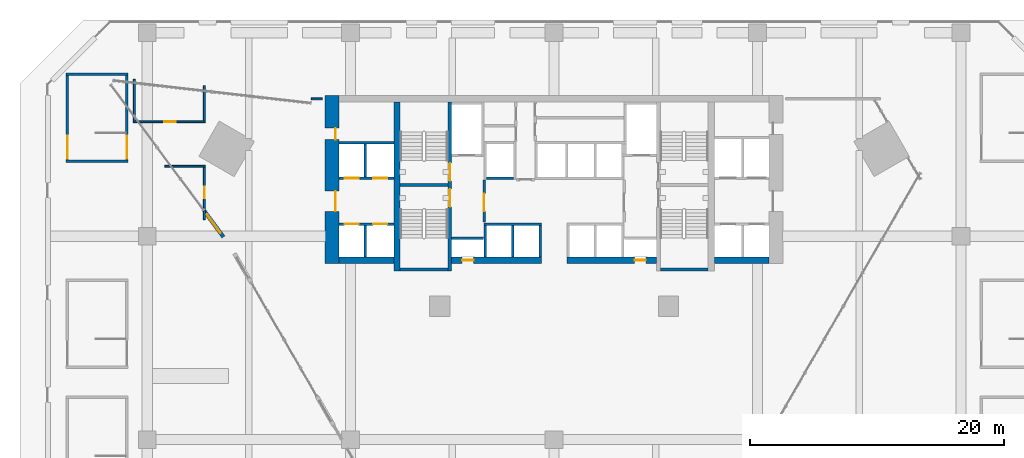
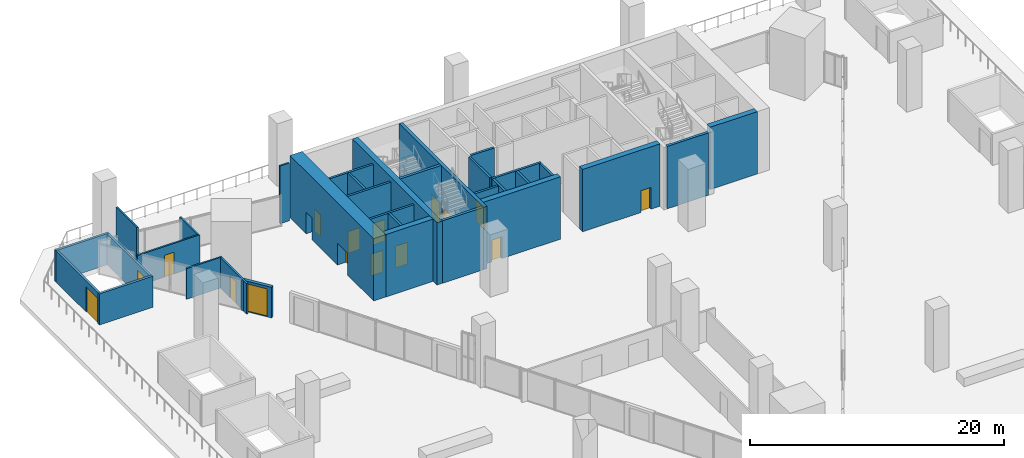
# One storey, part 19 of 25: 33 walls, 16 doors, 16 openings.
"""IFC4 building model written with IfcOpenShell, lengths in metres."""

from ifc_helpers import new_model, si_unit, direction, frame, frame_2d, origin, place, context, subcontext, project, spatial, rectangle, extrude, material, layer, layer_set, type_object, element, fill, save


model = new_model("IFC4")

# Units and contexts
model_context = context("Model", 3, precision=1e-05, world=origin(), true_north=direction((0.0, 1.0)))
body_context = subcontext(model_context, "Body", "Model", "MODEL_VIEW")
ifc_project = project(units=[si_unit("LENGTHUNIT", "METRE"), si_unit("AREAUNIT", "SQUARE_METRE"), si_unit("VOLUMEUNIT", "CUBIC_METRE"), si_unit("PLANEANGLEUNIT", "RADIAN"), si_unit("MASSUNIT", "GRAM", prefix="KILO")], contexts=[model_context])

# Site, building, storey
site_placement = place(None, origin())
site = spatial("IfcSite", under=ifc_project, at=site_placement, CompositionType="ELEMENT")
building_placement = place(site_placement, origin())
building = spatial("IfcBuilding", under=site, at=building_placement, Name="Calabash Gate Tower", CompositionType="ELEMENT")
storey_placement = place(building_placement, frame((0.0, 0.0, 40.0)))
storey = spatial("IfcBuildingStorey", under=building, at=storey_placement, Name="L05", CompositionType="ELEMENT", Elevation=40.0)

# Wall, openings, doors
ifc_material_1 = material(Name="Concrete C80/95", Category="concrete")
ifc_layer_1 = layer(ifc_material_1, 1.10009765625)
ifc_layer_set_1 = layer_set([ifc_layer_1], Name="Core wall 1100 Concrete C80/95")
wall_type_1 = type_object("IfcWallType", Name="Core wall 1100 Concrete C80/95", PredefinedType="SHEAR", material=ifc_layer_set_1)
wall_1_placement = place(storey_placement, frame((-17.449951171875, 5.8525390625, 0.0), z_axis=(0.0, 0.0, 1.0), x_axis=(0.0, 1.0, 0.0)))
wall_1 = element("IfcWall", 1, at=wall_1_placement, inside=storey, type_object=wall_type_1, Name="Core wall Z0-ENDW L05", PredefinedType="SHEAR", context=body_context, shape_type="SweptSolid", body=[
    extrude(rectangle(XDim=13.199951171875, YDim=1.10009765625, at=frame_2d((6.60009765625, 0.0))), origin(), (0.0, 0.0, 1.0), 6.0),
])
opening_1_placement = place(wall_1_placement, frame((4.10009765625, 0.0, 0.0)))
opening_1 = element("IfcOpeningElement", 2, at=opening_1_placement, cuts=wall_1, Name="Opening L05-019", PredefinedType="OPENING", context=body_context, shape_type="SweptSolid", body=[
    extrude(rectangle(XDim=1.60009765625, YDim=2.10009765625, at=frame_2d((0.800048828125, 1.050048828125))), frame((0.0, 0.56005859375, 0.0), z_axis=(0.0, -1.0, 0.0), x_axis=(1.0, 0.0, 0.0)), (0.0, 0.0, 1.0), 1.1201171875),
])
opening_2_placement = place(wall_1_placement, frame((9.75, 0.0, 0.0)))
opening_2 = element("IfcOpeningElement", 3, at=opening_2_placement, cuts=wall_1, Name="Opening L05-020", PredefinedType="OPENING", context=body_context, shape_type="SweptSolid", body=[
    extrude(rectangle(XDim=0.89990234375, YDim=2.10009765625, at=frame_2d((0.449951171875, 1.050048828125))), frame((0.0, 0.56005859375, 0.0), z_axis=(0.0, -1.0, 0.0), x_axis=(1.0, 0.0, 0.0)), (0.0, 0.0, 1.0), 1.1201171875),
])
ifc_material_2 = material(Name="Steel fire door set with fire-resisting glazing", Category="steel")
door_type_1 = type_object("IfcDoorType", Name="Double fire door D08 1600x2100 FD60", OperationType="DOUBLE_DOOR_SINGLE_SWING", PredefinedType="DOOR", material=ifc_material_2)
door_1_placement = place(opening_1_placement, origin())
door_1 = element("IfcDoor", 4, at=door_1_placement, inside=storey, type_object=door_type_1, Name="Low-rise Lift Lobby W door", OperationType="DOUBLE_DOOR_SINGLE_SWING", OverallHeight=2.10009765625, OverallWidth=1.60009765625, PredefinedType="DOOR", context=body_context, shape_type="SweptSolid", body=[
    extrude(rectangle(XDim=1.60009765625, YDim=2.10009765625, at=frame_2d((0.800048828125, 1.050048828125))), frame((0.0, -0.22509765625, 0.0), z_axis=(0.0, -1.0, 0.0), x_axis=(1.0, 0.0, 0.0)), (0.0, 0.0, 1.0), 0.050048828125),
])
fill(opening_1, door_1)
ifc_material_3 = material(Name="Steel fire door set with fire-resisting glazing", Category="steel")
door_type_2 = type_object("IfcDoorType", Name="Fire door D06 900x2100 FD60", OperationType="NOTDEFINED", PredefinedType="DOOR", material=ifc_material_3)
door_2_placement = place(opening_2_placement, origin())
door_2 = element("IfcDoor", 5, at=door_2_placement, inside=storey, type_object=door_type_2, Name="Pantry door", OperationType="SINGLE_SWING_RIGHT", OverallHeight=2.10009765625, OverallWidth=0.89990234375, PredefinedType="DOOR", context=body_context, shape_type="SweptSolid", body=[
    extrude(rectangle(XDim=0.89990234375, YDim=2.10009765625, at=frame_2d((0.449951171875, 1.050048828125))), frame((0.0, -0.22509765625, 0.0), z_axis=(0.0, -1.0, 0.0), x_axis=(1.0, 0.0, 0.0)), (0.0, 0.0, 1.0), 0.050048828125),
])
fill(opening_2, door_2)

# Walls
ifc_material_4 = material(Name="Concrete C80/95", Category="concrete")
ifc_layer_2 = layer(ifc_material_4, 0.25)
ifc_layer_set_2 = layer_set([ifc_layer_2], Name="Core wall 250 Concrete C80/95")
wall_type_2 = type_object("IfcWallType", Name="Core wall 250 Concrete C80/95", PredefinedType="SHEAR", material=ifc_layer_set_2)
for number, where, z_axis, x_axis, name in (
    (6, (-12.10009765625, 12.027587890625, 0.0), (0.0, 0.0, 1.0), (1.0, 0.0, 0.0), "Core wall Z0-MIDW L05"),
    (7, (-12.10009765625, 5.377685546875, 0.0), (0.0, 0.0, 1.0), (1.0, 0.0, 0.0), "Core wall Z0-SSW L05"),
    (8, (8.35009765625, 5.377685546875, 0.0), (0.0, 0.0, 1.0), (1.0, 0.0, 0.0), "Core wall Z0-SSE L05"),
):
    element("IfcWall", number, at=place(storey_placement, frame(where, z_axis=z_axis, x_axis=x_axis)), inside=storey, type_object=wall_type_2, Name=name, PredefinedType="SHEAR", context=body_context, shape_type="SweptSolid", body=[
        extrude(rectangle(XDim=3.75, YDim=0.25, at=frame_2d((1.875, 0.0))), origin(), (0.0, 0.0, 1.0), 6.0),
    ])

# Wall, openings, doors
ifc_material_5 = material(Name="Concrete C80/95", Category="concrete")
ifc_layer_3 = layer(ifc_material_5, 0.300048828125)
ifc_layer_set_3 = layer_set([ifc_layer_3], Name="Core wall 300 Concrete C80/95")
wall_type_3 = type_object("IfcWallType", Name="Core wall 300 Concrete C80/95", PredefinedType="SHEAR", material=ifc_layer_set_3)
wall_2_placement = place(storey_placement, frame((-8.199951171875, 5.252685546875, 0.0), z_axis=(0.0, 0.0, 1.0), x_axis=(0.0, 1.0, 0.0)))
wall_2 = element("IfcWall", 9, at=wall_2_placement, inside=storey, type_object=wall_type_3, Name="Core wall Z0-PARTW L05", PredefinedType="SHEAR", context=body_context, shape_type="SweptSolid", body=[
    extrude(rectangle(XDim=13.2998046875, YDim=0.300048828125, at=frame_2d((6.64990234375, 0.0))), origin(), (0.0, 0.0, 1.0), 6.0),
])
opening_3_placement = place(wall_2_placement, frame((7.10009765625, 0.0, 0.0)))
opening_3 = element("IfcOpeningElement", 10, at=opening_3_placement, cuts=wall_2, Name="Opening L05-006", PredefinedType="OPENING", context=body_context, shape_type="SweptSolid", body=[
    extrude(rectangle(XDim=1.39990234375, YDim=2.10009765625, at=frame_2d((0.699951171875, 1.050048828125))), frame((0.0, 0.159912109375, 0.0), z_axis=(0.0, -1.0, 0.0), x_axis=(1.0, 0.0, 0.0)), (0.0, 0.0, 1.0), 0.320068359375),
])
opening_4_placement = place(wall_2_placement, frame((5.050048828125, 0.0, 0.0)))
opening_4 = element("IfcOpeningElement", 11, at=opening_4_placement, cuts=wall_2, Name="Opening L05-007", PredefinedType="OPENING", context=body_context, shape_type="SweptSolid", body=[
    extrude(rectangle(XDim=1.39990234375, YDim=2.10009765625, at=frame_2d((0.699951171875, 1.050048828125))), frame((0.0, 0.159912109375, 0.0), z_axis=(0.0, -1.0, 0.0), x_axis=(1.0, 0.0, 0.0)), (0.0, 0.0, 1.0), 0.320068359375),
])
ifc_material_6 = material(Name="Steel fire door set with fire-resisting glazing", Category="steel")
door_type_3 = type_object("IfcDoorType", Name="Fire door D05 1400x2100 FD90", OperationType="NOTDEFINED", PredefinedType="DOOR", material=ifc_material_6)
door_3_placement = place(opening_3_placement, origin())
door_3 = element("IfcDoor", 12, at=door_3_placement, inside=storey, type_object=door_type_3, Name="Exit stair door ST1", OperationType="SINGLE_SWING_LEFT", OverallHeight=2.10009765625, OverallWidth=1.39990234375, PredefinedType="DOOR", context=body_context, shape_type="SweptSolid", body=[
    extrude(rectangle(XDim=1.39990234375, YDim=2.10009765625, at=frame_2d((0.699951171875, 1.050048828125))), frame((0.0, 0.02490234375, 0.0), z_axis=(0.0, -1.0, 0.0), x_axis=(1.0, 0.0, 0.0)), (0.0, 0.0, 1.0), 0.050048828125),
])
fill(opening_3, door_3)
door_4_placement = place(opening_4_placement, origin())
door_4 = element("IfcDoor", 13, at=door_4_placement, inside=storey, type_object=door_type_3, Name="Exit stair door ST2", OperationType="SINGLE_SWING_LEFT", OverallHeight=2.10009765625, OverallWidth=1.39990234375, PredefinedType="DOOR", context=body_context, shape_type="SweptSolid", body=[
    extrude(rectangle(XDim=1.39990234375, YDim=2.10009765625, at=frame_2d((0.699951171875, 1.050048828125))), frame((0.0, 0.02490234375, 0.0), z_axis=(0.0, -1.0, 0.0), x_axis=(1.0, 0.0, 0.0)), (0.0, 0.0, 1.0), 0.050048828125),
])
fill(opening_4, door_4)

# Wall
ifc_material_7 = material(Name="Concrete C80/95", Category="concrete")
ifc_layer_4 = layer(ifc_material_7, 0.5)
ifc_layer_set_4 = layer_set([ifc_layer_4], Name="Core wall 500 Concrete C80/95")
wall_type_4 = type_object("IfcWallType", Name="Core wall 500 Concrete C80/95", PredefinedType="SHEAR", material=ifc_layer_set_4)
wall_3_placement = place(storey_placement, frame((-12.35009765625, 5.252685546875, 0.0), z_axis=(0.0, 0.0, 1.0), x_axis=(0.0, 1.0, 0.0)))
element("IfcWall", 14, at=wall_3_placement, inside=storey, type_object=wall_type_4, Name="Core wall Z0-COLW L05", PredefinedType="SHEAR", context=body_context, shape_type="SweptSolid", body=[
    extrude(rectangle(XDim=13.2998046875, YDim=0.5, at=frame_2d((6.64990234375, 0.0))), origin(), (0.0, 0.0, 1.0), 6.0),
])

# Wall, opening, door
wall_4_placement = place(storey_placement, frame((-8.050048828125, 6.1025390625, 0.0), z_axis=(0.0, 0.0, 1.0), x_axis=(1.0, 0.0, 0.0)))
wall_4 = element("IfcWall", 15, at=wall_4_placement, inside=storey, type_object=wall_type_4, Name="Core wall Z0-SA L05", PredefinedType="SHEAR", context=body_context, shape_type="SweptSolid", body=[
    extrude(rectangle(XDim=7.050048828125, YDim=0.5, at=frame_2d((3.52490234375, 0.0))), origin(), (0.0, 0.0, 1.0), 6.0),
])
opening_5_placement = place(wall_4_placement, frame((0.824951171875, 0.0, 0.0)))
opening_5 = element("IfcOpeningElement", 16, at=opening_5_placement, cuts=wall_4, Name="Opening L05-017", PredefinedType="OPENING", context=body_context, shape_type="SweptSolid", body=[
    extrude(rectangle(XDim=0.89990234375, YDim=2.10009765625, at=frame_2d((0.449951171875, 1.050048828125))), frame((0.0, 0.260009765625, 0.0), z_axis=(0.0, -1.0, 0.0), x_axis=(1.0, 0.0, 0.0)), (0.0, 0.0, 1.0), 0.52001953125),
])
ifc_material_8 = material(Name="Steel fire door set with fire-resisting glazing", Category="steel")
door_type_4 = type_object("IfcDoorType", Name="Fire door D07 900x2100 FD90", OperationType="NOTDEFINED", PredefinedType="DOOR", material=ifc_material_8)
door_5_placement = place(opening_5_placement, origin())
door_5 = element("IfcDoor", 17, at=door_5_placement, inside=storey, type_object=door_type_4, Name="Electrical Riser W door", OperationType="SINGLE_SWING_LEFT", OverallHeight=2.10009765625, OverallWidth=0.89990234375, PredefinedType="DOOR", context=body_context, shape_type="SweptSolid", body=[
    extrude(rectangle(XDim=0.89990234375, YDim=2.10009765625, at=frame_2d((0.449951171875, 1.050048828125))), frame((0.0, 0.02490234375, 0.0), z_axis=(0.0, -1.0, 0.0), x_axis=(1.0, 0.0, 0.0)), (0.0, 0.0, 1.0), 0.050048828125),
])
fill(opening_5, door_5)

wall_5_placement = place(storey_placement, frame((1.0, 6.1025390625, 0.0), z_axis=(0.0, 0.0, 1.0), x_axis=(1.0, 0.0, 0.0)))
wall_5 = element("IfcWall", 18, at=wall_5_placement, inside=storey, type_object=wall_type_4, Name="Core wall Z0-SB L05", PredefinedType="SHEAR", context=body_context, shape_type="SweptSolid", body=[
    extrude(rectangle(XDim=7.050048828125, YDim=0.5, at=frame_2d((3.52490234375, 0.0))), origin(), (0.0, 0.0, 1.0), 6.0),
])
opening_6_placement = place(wall_5_placement, frame((5.324951171875, 0.0, 0.0)))
opening_6 = element("IfcOpeningElement", 19, at=opening_6_placement, cuts=wall_5, Name="Opening L05-018", PredefinedType="OPENING", context=body_context, shape_type="SweptSolid", body=[
    extrude(rectangle(XDim=0.89990234375, YDim=2.10009765625, at=frame_2d((0.449951171875, 1.050048828125))), frame((0.0, 0.260009765625, 0.0), z_axis=(0.0, -1.0, 0.0), x_axis=(1.0, 0.0, 0.0)), (0.0, 0.0, 1.0), 0.52001953125),
])
door_6_placement = place(opening_6_placement, origin())
door_6 = element("IfcDoor", 20, at=door_6_placement, inside=storey, type_object=door_type_4, Name="Mechanical Riser E door", OperationType="SINGLE_SWING_RIGHT", OverallHeight=2.10009765625, OverallWidth=0.89990234375, PredefinedType="DOOR", context=body_context, shape_type="SweptSolid", body=[
    extrude(rectangle(XDim=0.89990234375, YDim=2.10009765625, at=frame_2d((0.449951171875, 1.050048828125))), frame((0.0, 0.02490234375, 0.0), z_axis=(0.0, -1.0, 0.0), x_axis=(1.0, 0.0, 0.0)), (0.0, 0.0, 1.0), 0.050048828125),
])
fill(opening_6, door_6)

# Walls
for number, where, z_axis, x_axis, name in (
    (21, (-12.60009765625, 6.1025390625, 0.0), (0.0, 0.0, 1.0), (-1.0, 0.0, 0.0), "Core wall Z0-SW L05"),
    (22, (12.60009765625, 6.1025390625, 0.0), (0.0, 0.0, 1.0), (1.0, 0.0, 0.0), "Core wall Z0-SE L05"),
):
    element("IfcWall", number, at=place(storey_placement, frame(where, z_axis=z_axis, x_axis=x_axis)), inside=storey, type_object=wall_type_4, Name=name, PredefinedType="SHEAR", context=body_context, shape_type="SweptSolid", body=[
        extrude(rectangle(XDim=4.2998046875, YDim=0.5, at=frame_2d((2.14990234375, 0.0))), origin(), (0.0, 0.0, 1.0), 6.0),
    ])

# Wall, opening, door
ifc_material_9 = material(Name="Gypsum board on steel studs, mineral wool", Category="steel")
ifc_layer_5 = layer(ifc_material_9, 0.14990234375)
ifc_layer_set_5 = layer_set([ifc_layer_5], Name="Partition 150 gypsum board")
wall_type_5 = type_object("IfcWallType", Name="Partition 150 gypsum board", PredefinedType="PARTITIONING", material=ifc_layer_set_5)
wall_6_placement = place(storey_placement, frame((-27.5, 9.298095703125, 0.0), z_axis=(0.0, 0.0, 1.0), x_axis=(0.0, 1.0, 0.0)))
wall_6 = element("IfcWall", 23, at=wall_6_placement, inside=storey, type_object=wall_type_5, Name="Partition", PredefinedType="PARTITIONING", context=body_context, shape_type="SweptSolid", body=[
    extrude(rectangle(XDim=4.126953125, YDim=0.14990234375, at=frame_2d((2.0634765625, 0.0))), origin(), (0.0, 0.0, 1.0), 2.949951171875),
])
opening_7_placement = place(wall_6_placement, frame((1.6748046875, 0.0, 0.0)))
opening_7 = element("IfcOpeningElement", 24, at=opening_7_placement, cuts=wall_6, Name="Opening L05-043", PredefinedType="OPENING", context=body_context, shape_type="SweptSolid", body=[
    extrude(rectangle(XDim=0.89990234375, YDim=2.10009765625, at=frame_2d((0.449951171875, 1.050048828125))), frame((0.0, 0.0849609375, 0.0), z_axis=(0.0, -1.0, 0.0), x_axis=(1.0, 0.0, 0.0)), (0.0, 0.0, 1.0), 0.169921875),
])
ifc_material_10 = material(Name="Steel fire door set with fire-resisting glazing", Category="steel")
door_type_5 = type_object("IfcDoorType", Name="Fire door D13 900x2100 FD30", OperationType="NOTDEFINED", PredefinedType="DOOR", material=ifc_material_10)
door_7_placement = place(opening_7_placement, origin())
door_7 = element("IfcDoor", 25, at=door_7_placement, inside=storey, type_object=door_type_5, Name="Public WC door", OperationType="SINGLE_SWING_RIGHT", OverallHeight=2.10009765625, OverallWidth=0.89990234375, PredefinedType="DOOR", context=body_context, shape_type="SweptSolid", body=[
    extrude(rectangle(XDim=0.89990234375, YDim=2.10009765625, at=frame_2d((0.449951171875, 1.050048828125))), frame((0.0, 0.02490234375, 0.0), z_axis=(0.0, -1.0, 0.0), x_axis=(1.0, 0.0, 0.0)), (0.0, 0.0, 1.0), 0.050048828125),
])
fill(opening_7, door_7)

# Wall
wall_7_placement = place(storey_placement, frame((-30.633056640625, 13.5, 0.0), z_axis=(0.0, 0.0, 1.0), x_axis=(1.0, 0.0, 0.0)))
element("IfcWall", 26, at=wall_7_placement, inside=storey, type_object=wall_type_5, Name="Partition", PredefinedType="PARTITIONING", context=body_context, shape_type="SweptSolid", body=[
    extrude(rectangle(XDim=3.2080078125, YDim=0.14990234375, at=frame_2d((1.60400390625, 0.0))), origin(), (0.0, 0.0, 1.0), 2.949951171875),
])

# Wall, opening, door
wall_8_placement = place(storey_placement, frame((-33.074951171875, 17.0, 0.0), z_axis=(0.0, 0.0, 1.0), x_axis=(1.0, 0.0, 0.0)))
wall_8 = element("IfcWall", 27, at=wall_8_placement, inside=storey, type_object=wall_type_5, Name="Partition", PredefinedType="PARTITIONING", context=body_context, shape_type="SweptSolid", body=[
    extrude(rectangle(XDim=5.64990234375, YDim=0.14990234375, at=frame_2d((2.824951171875, 0.0))), origin(), (0.0, 0.0, 1.0), 2.949951171875),
])
opening_8_placement = place(wall_8_placement, frame((2.425048828125, 0.0, 0.0)))
opening_8 = element("IfcOpeningElement", 28, at=opening_8_placement, cuts=wall_8, Name="Opening L05-044", PredefinedType="OPENING", context=body_context, shape_type="SweptSolid", body=[
    extrude(rectangle(XDim=0.89990234375, YDim=2.10009765625, at=frame_2d((0.449951171875, 1.050048828125))), frame((0.0, 0.0849609375, 0.0), z_axis=(0.0, -1.0, 0.0), x_axis=(1.0, 0.0, 0.0)), (0.0, 0.0, 1.0), 0.169921875),
])
door_8_placement = place(opening_8_placement, origin())
door_8 = element("IfcDoor", 29, at=door_8_placement, inside=storey, type_object=door_type_5, Name="Accessible WC door", OperationType="SINGLE_SWING_RIGHT", OverallHeight=2.10009765625, OverallWidth=0.89990234375, PredefinedType="DOOR", context=body_context, shape_type="SweptSolid", body=[
    extrude(rectangle(XDim=0.89990234375, YDim=2.10009765625, at=frame_2d((0.449951171875, 1.050048828125))), frame((0.0, 0.02490234375, 0.0), z_axis=(0.0, -1.0, 0.0), x_axis=(1.0, 0.0, 0.0)), (0.0, 0.0, 1.0), 0.050048828125),
])
fill(opening_8, door_8)

# Walls
wall_9_placement = place(storey_placement, frame((-33.0, 17.074951171875, 0.0), z_axis=(0.0, 0.0, 1.0), x_axis=(0.0, 1.0, 0.0)))
element("IfcWall", 30, at=wall_9_placement, inside=storey, type_object=wall_type_5, Name="Partition", PredefinedType="PARTITIONING", context=body_context, shape_type="SweptSolid", body=[
    extrude(rectangle(XDim=3.25, YDim=0.14990234375, at=frame_2d((1.625, 0.0))), origin(), (0.0, 0.0, 1.0), 5.550048828125),
])
wall_10_placement = place(storey_placement, frame((-27.5, 17.074951171875, 0.0), z_axis=(0.0, 0.0, 1.0), x_axis=(0.0, 1.0, 0.0)))
element("IfcWall", 31, at=wall_10_placement, inside=storey, type_object=wall_type_5, Name="Partition", PredefinedType="PARTITIONING", context=body_context, shape_type="SweptSolid", body=[
    extrude(rectangle(XDim=2.774169921875, YDim=0.14990234375, at=frame_2d((1.38720703125, 0.0))), origin(), (0.0, 0.0, 1.0), 2.949951171875),
])
wall_11_placement = place(storey_placement, frame((-19.089111328125, 18.802978515625, 0.0), z_axis=(0.0, 0.0, 1.0), x_axis=(1.0, 0.0, 0.0)))
element("IfcWall", 32, at=wall_11_placement, inside=storey, type_object=wall_type_5, Name="Partition", PredefinedType="PARTITIONING", context=body_context, shape_type="SweptSolid", body=[
    extrude(rectangle(XDim=0.864013671875, YDim=0.14990234375, at=frame_2d((0.43212890625, 0.0))), origin(), (0.0, 0.0, 1.0), 5.550048828125),
])

# Wall, opening, door
ifc_material_11 = material(Name="Aluminium framed entrance wall with insulated spandrel", Category="aluminium")
ifc_layer_6 = layer(ifc_material_11, 0.300048828125)
ifc_layer_set_6 = layer_set([ifc_layer_6], Name="Podium entrance wall 300")
wall_type_6 = type_object("IfcWallType", Name="Podium entrance wall 300", PredefinedType="ELEMENTEDWALL", material=ifc_layer_set_6)
wall_12_placement = place(storey_placement, frame((-27.550537109375, 10.029052734375, 0.0), z_axis=(0.0, 0.0, 1.0), x_axis=(0.595317370228, -0.803490652531, 0.0)))
wall_12 = element("IfcWall", 33, at=wall_12_placement, inside=storey, type_object=wall_type_6, Name="Terrace door wall L05", PredefinedType="ELEMENTEDWALL", context=body_context, shape_type="SweptSolid", body=[
    extrude(rectangle(XDim=2.60009765625, YDim=0.300048828125, at=frame_2d((1.300048828125, 0.0))), origin(), (0.0, 0.0, 1.0), 2.949951171875),
])
opening_9_placement = place(wall_12_placement, frame((0.39990234375, 0.0, 0.0)))
opening_9 = element("IfcOpeningElement", 34, at=opening_9_placement, cuts=wall_12, Name="Opening L05-005", PredefinedType="OPENING", context=body_context, shape_type="SweptSolid", body=[
    extrude(rectangle(XDim=1.800048828125, YDim=2.699951171875, at=frame_2d((0.89990234375, 1.35009765625))), frame((0.0, 0.159912109375, 0.0), z_axis=(0.0, -1.0, 0.0), x_axis=(1.0, 0.0, 0.0)), (0.0, 0.0, 1.0), 0.320068359375),
])
ifc_material_12 = material(Name="Anodised aluminium frame, bronze finish, impact-rated laminated clear glazing", Category="aluminium")
door_type_6 = type_object("IfcDoorType", Name="Podium door DE180 1800x2700", OperationType="DOUBLE_DOOR_SINGLE_SWING", PredefinedType="DOOR", material=ifc_material_12)
door_9_placement = place(opening_9_placement, origin())
door_9 = element("IfcDoor", 35, at=door_9_placement, inside=storey, type_object=door_type_6, Name="Terrace door L05", OperationType="DOUBLE_DOOR_SINGLE_SWING", OverallHeight=2.699951171875, OverallWidth=1.800048828125, PredefinedType="DOOR", context=body_context, shape_type="SweptSolid", body=[
    extrude(rectangle(XDim=1.800048828125, YDim=2.699951171875, at=frame_2d((0.89990234375, 1.35009765625))), frame((0.0, 0.02490234375, 0.0), z_axis=(0.0, -1.0, 0.0), x_axis=(1.0, 0.0, 0.0)), (0.0, 0.0, 1.0), 0.050048828125),
])
fill(opening_9, door_9)

# Walls
ifc_material_13 = material(Name="Concrete C40/50", Category="concrete")
ifc_layer_7 = layer(ifc_material_13, 0.199951171875)
ifc_layer_set_7 = layer_set([ifc_layer_7], Name="Shaft wall 200 Concrete C40/50")
wall_type_7 = type_object("IfcWallType", Name="Shaft wall 200 Concrete C40/50", PredefinedType="SOLIDWALL", material=ifc_layer_set_7)
for number, where, z_axis, x_axis, name in (
    (36, (-14.85009765625, 6.3525390625, 0.0), (0.0, 0.0, 1.0), (0.0, 1.0, 0.0), "Shaft wall"),
    (37, (-5.39990234375, 6.3525390625, 0.0), (0.0, 0.0, 1.0), (0.0, 1.0, 0.0), "Shaft wall"),
    (38, (-3.25, 6.3525390625, 0.0), (0.0, 0.0, 1.0), (0.0, 1.0, 0.0), "Shaft wall"),
    (39, (-1.10009765625, 6.3525390625, 0.0), (0.0, 0.0, 1.0), (0.0, 1.0, 0.0), "Shaft wall"),
    (40, (-8.050048828125, 7.8525390625, 0.0), (0.0, 0.0, 1.0), (1.0, 0.0, 0.0), "Shaft wall"),
):
    element("IfcWall", number, at=place(storey_placement, frame(where, z_axis=z_axis, x_axis=x_axis)), inside=storey, type_object=wall_type_7, Name=name, PredefinedType="SOLIDWALL", context=body_context, shape_type="SweptSolid", body=[
        extrude(rectangle(XDim=2.5, YDim=0.199951171875, at=frame_2d((1.25, 0.0))), origin(), (0.0, 0.0, 1.0), 5.550048828125),
    ])

# Wall, openings, doors
wall_13_placement = place(storey_placement, frame((-16.89990234375, 8.95263671875, 0.0), z_axis=(0.0, 0.0, 1.0), x_axis=(1.0, 0.0, 0.0)))
wall_13 = element("IfcWall", 41, at=wall_13_placement, inside=storey, type_object=wall_type_7, Name="Shaft wall", PredefinedType="SOLIDWALL", context=body_context, shape_type="SweptSolid", body=[
    extrude(rectangle(XDim=4.2998046875, YDim=0.199951171875, at=frame_2d((2.14990234375, 0.0))), origin(), (0.0, 0.0, 1.0), 5.550048828125),
])
opening_10_placement = place(wall_13_placement, frame((2.675048828125, 0.0, 0.0)))
opening_10 = element("IfcOpeningElement", 42, at=opening_10_placement, cuts=wall_13, Name="Opening LD-LR1", PredefinedType="OPENING", context=body_context, shape_type="SweptSolid", body=[
    extrude(rectangle(XDim=1.10009765625, YDim=2.10009765625, at=frame_2d((0.550048828125, 1.050048828125))), frame((0.0, 0.10986328125, 0.0), z_axis=(0.0, -1.0, 0.0), x_axis=(1.0, 0.0, 0.0)), (0.0, 0.0, 1.0), 0.219970703125),
])
opening_11_placement = place(wall_13_placement, frame((0.425048828125, 0.0, 0.0)))
opening_11 = element("IfcOpeningElement", 43, at=opening_11_placement, cuts=wall_13, Name="Opening LD-LR2", PredefinedType="OPENING", context=body_context, shape_type="SweptSolid", body=[
    extrude(rectangle(XDim=1.10009765625, YDim=2.10009765625, at=frame_2d((0.550048828125, 1.050048828125))), frame((0.0, 0.10986328125, 0.0), z_axis=(0.0, -1.0, 0.0), x_axis=(1.0, 0.0, 0.0)), (0.0, 0.0, 1.0), 0.219970703125),
])
ifc_material_14 = material(Name="Stainless steel sliding door leaves", Category="steel")
door_type_7 = type_object("IfcDoorType", Name="Lift landing door LS1 1100x2100 FD90", OperationType="DOUBLE_DOOR_SLIDING", PredefinedType="DOOR", material=ifc_material_14)
door_10_placement = place(opening_10_placement, origin())
door_10 = element("IfcDoor", 44, at=door_10_placement, inside=storey, type_object=door_type_7, Name="Lift landing door LR1", OperationType="DOUBLE_DOOR_SLIDING", OverallHeight=2.10009765625, OverallWidth=1.10009765625, PredefinedType="DOOR", context=body_context, shape_type="SweptSolid", body=[
    extrude(rectangle(XDim=1.10009765625, YDim=2.10009765625, at=frame_2d((0.550048828125, 1.050048828125))), frame((0.0, 0.02490234375, 0.0), z_axis=(0.0, -1.0, 0.0), x_axis=(1.0, 0.0, 0.0)), (0.0, 0.0, 1.0), 0.050048828125),
])
fill(opening_10, door_10)
door_11_placement = place(opening_11_placement, origin())
door_11 = element("IfcDoor", 45, at=door_11_placement, inside=storey, type_object=door_type_7, Name="Lift landing door LR2", OperationType="DOUBLE_DOOR_SLIDING", OverallHeight=2.10009765625, OverallWidth=1.10009765625, PredefinedType="DOOR", context=body_context, shape_type="SweptSolid", body=[
    extrude(rectangle(XDim=1.10009765625, YDim=2.10009765625, at=frame_2d((0.550048828125, 1.050048828125))), frame((0.0, 0.02490234375, 0.0), z_axis=(0.0, -1.0, 0.0), x_axis=(1.0, 0.0, 0.0)), (0.0, 0.0, 1.0), 0.050048828125),
])
fill(opening_11, door_11)

# Wall
wall_14_placement = place(storey_placement, frame((-5.5, 8.95263671875, 0.0), z_axis=(0.0, 0.0, 1.0), x_axis=(1.0, 0.0, 0.0)))
element("IfcWall", 46, at=wall_14_placement, inside=storey, type_object=wall_type_7, Name="Shaft wall", PredefinedType="SOLIDWALL", context=body_context, shape_type="SweptSolid", body=[
    extrude(rectangle(XDim=4.5, YDim=0.199951171875, at=frame_2d((2.25, 0.0))), origin(), (0.0, 0.0, 1.0), 5.550048828125),
])

# Wall, opening, door
wall_15_placement = place(storey_placement, frame((-5.5, 9.1025390625, 0.0), z_axis=(0.0, 0.0, 1.0), x_axis=(0.0, 1.0, 0.0)))
wall_15 = element("IfcWall", 47, at=wall_15_placement, inside=storey, type_object=wall_type_7, Name="Shaft wall", PredefinedType="SOLIDWALL", context=body_context, shape_type="SweptSolid", body=[
    extrude(rectangle(XDim=3.300048828125, YDim=0.199951171875, at=frame_2d((1.64990234375, 0.0))), origin(), (0.0, 0.0, 1.0), 5.550048828125),
])
opening_12_placement = place(wall_15_placement, frame((0.85009765625, 0.0, 0.0)))
opening_12 = element("IfcOpeningElement", 48, at=opening_12_placement, cuts=wall_15, Name="Opening L05-011", PredefinedType="OPENING", context=body_context, shape_type="SweptSolid", body=[
    extrude(rectangle(XDim=1.39990234375, YDim=2.10009765625, at=frame_2d((0.699951171875, 1.050048828125))), frame((0.0, 0.10986328125, 0.0), z_axis=(0.0, -1.0, 0.0), x_axis=(1.0, 0.0, 0.0)), (0.0, 0.0, 1.0), 0.219970703125),
])
door_12_placement = place(opening_12_placement, origin())
door_12 = element("IfcDoor", 49, at=door_12_placement, inside=storey, type_object=door_type_3, Name="Firefighting Lobby W door", OperationType="SINGLE_SWING_RIGHT", OverallHeight=2.10009765625, OverallWidth=1.39990234375, PredefinedType="DOOR", context=body_context, shape_type="SweptSolid", body=[
    extrude(rectangle(XDim=1.39990234375, YDim=2.10009765625, at=frame_2d((0.699951171875, 1.050048828125))), frame((0.0, 0.02490234375, 0.0), z_axis=(0.0, -1.0, 0.0), x_axis=(1.0, 0.0, 0.0)), (0.0, 0.0, 1.0), 0.050048828125),
])
fill(opening_12, door_12)

# Wall, openings, doors
wall_16_placement = place(storey_placement, frame((-16.89990234375, 12.552490234375, 0.0), z_axis=(0.0, 0.0, 1.0), x_axis=(1.0, 0.0, 0.0)))
wall_16 = element("IfcWall", 50, at=wall_16_placement, inside=storey, type_object=wall_type_7, Name="Shaft wall", PredefinedType="SOLIDWALL", context=body_context, shape_type="SweptSolid", body=[
    extrude(rectangle(XDim=4.2998046875, YDim=0.199951171875, at=frame_2d((2.14990234375, 0.0))), origin(), (0.0, 0.0, 1.0), 5.550048828125),
])
opening_13_placement = place(wall_16_placement, frame((2.675048828125, 0.0, 0.0)))
opening_13 = element("IfcOpeningElement", 51, at=opening_13_placement, cuts=wall_16, Name="Opening LD-LR3", PredefinedType="OPENING", context=body_context, shape_type="SweptSolid", body=[
    extrude(rectangle(XDim=1.10009765625, YDim=2.10009765625, at=frame_2d((0.550048828125, 1.050048828125))), frame((0.0, 0.10986328125, 0.0), z_axis=(0.0, -1.0, 0.0), x_axis=(1.0, 0.0, 0.0)), (0.0, 0.0, 1.0), 0.219970703125),
])
opening_14_placement = place(wall_16_placement, frame((0.425048828125, 0.0, 0.0)))
opening_14 = element("IfcOpeningElement", 52, at=opening_14_placement, cuts=wall_16, Name="Opening LD-LR4", PredefinedType="OPENING", context=body_context, shape_type="SweptSolid", body=[
    extrude(rectangle(XDim=1.10009765625, YDim=2.10009765625, at=frame_2d((0.550048828125, 1.050048828125))), frame((0.0, 0.10986328125, 0.0), z_axis=(0.0, -1.0, 0.0), x_axis=(1.0, 0.0, 0.0)), (0.0, 0.0, 1.0), 0.219970703125),
])
door_13_placement = place(opening_13_placement, origin())
door_13 = element("IfcDoor", 53, at=door_13_placement, inside=storey, type_object=door_type_7, Name="Lift landing door LR3", OperationType="DOUBLE_DOOR_SLIDING", OverallHeight=2.10009765625, OverallWidth=1.10009765625, PredefinedType="DOOR", context=body_context, shape_type="SweptSolid", body=[
    extrude(rectangle(XDim=1.10009765625, YDim=2.10009765625, at=frame_2d((0.550048828125, 1.050048828125))), frame((0.0, 0.02490234375, 0.0), z_axis=(0.0, -1.0, 0.0), x_axis=(1.0, 0.0, 0.0)), (0.0, 0.0, 1.0), 0.050048828125),
])
fill(opening_13, door_13)
door_14_placement = place(opening_14_placement, origin())
door_14 = element("IfcDoor", 54, at=door_14_placement, inside=storey, type_object=door_type_7, Name="Lift landing door LR4", OperationType="DOUBLE_DOOR_SLIDING", OverallHeight=2.10009765625, OverallWidth=1.10009765625, PredefinedType="DOOR", context=body_context, shape_type="SweptSolid", body=[
    extrude(rectangle(XDim=1.10009765625, YDim=2.10009765625, at=frame_2d((0.550048828125, 1.050048828125))), frame((0.0, 0.02490234375, 0.0), z_axis=(0.0, -1.0, 0.0), x_axis=(1.0, 0.0, 0.0)), (0.0, 0.0, 1.0), 0.050048828125),
])
fill(opening_14, door_14)

# Walls
wall_17_placement = place(storey_placement, frame((-5.300048828125, 12.552490234375, 0.0), z_axis=(0.0, 0.0, 1.0), x_axis=(1.0, 0.0, 0.0)))
element("IfcWall", 55, at=wall_17_placement, inside=storey, type_object=wall_type_7, Name="Shaft wall", PredefinedType="SOLIDWALL", context=body_context, shape_type="SweptSolid", body=[
    extrude(rectangle(XDim=2.10009765625, YDim=0.199951171875, at=frame_2d((1.050048828125, 0.0))), origin(), (0.0, 0.0, 1.0), 5.550048828125),
])
wall_18_placement = place(storey_placement, frame((-14.85009765625, 12.652587890625, 0.0), z_axis=(0.0, 0.0, 1.0), x_axis=(0.0, 1.0, 0.0)))
element("IfcWall", 56, at=wall_18_placement, inside=storey, type_object=wall_type_7, Name="Shaft wall", PredefinedType="SOLIDWALL", context=body_context, shape_type="SweptSolid", body=[
    extrude(rectangle(XDim=2.60009765625, YDim=0.199951171875, at=frame_2d((1.300048828125, 0.0))), origin(), (0.0, 0.0, 1.0), 5.550048828125),
])
wall_19_placement = place(storey_placement, frame((-16.89990234375, 15.3525390625, 0.0), z_axis=(0.0, 0.0, 1.0), x_axis=(1.0, 0.0, 0.0)))
element("IfcWall", 57, at=wall_19_placement, inside=storey, type_object=wall_type_7, Name="Shaft wall", PredefinedType="SOLIDWALL", context=body_context, shape_type="SweptSolid", body=[
    extrude(rectangle(XDim=4.2998046875, YDim=0.199951171875, at=frame_2d((2.14990234375, 0.0))), origin(), (0.0, 0.0, 1.0), 5.550048828125),
])
ifc_material_15 = material(Name="Concrete C40/50", Category="concrete")
ifc_layer_8 = layer(ifc_material_15, 0.199951171875)
ifc_layer_set_8 = layer_set([ifc_layer_8], Name="Stair wall 200 Concrete C40/50")
wall_type_8 = type_object("IfcWallType", Name="Stair wall 200 Concrete C40/50", PredefinedType="SOLIDWALL", material=ifc_layer_set_8)
for number, where, z_axis, x_axis, name in (
    (58, (-38.3701171875, 13.89990234375, 0.0), (0.0, 0.0, 1.0), (1.0, 0.0, 0.0), "Stair wall"),
    (59, (-38.3701171875, 20.75, 0.0), (0.0, 0.0, 1.0), (1.0, 0.0, 0.0), "Stair wall"),
):
    element("IfcWall", number, at=place(storey_placement, frame(where, z_axis=z_axis, x_axis=x_axis)), inside=storey, type_object=wall_type_8, Name=name, PredefinedType="SOLIDWALL", context=body_context, shape_type="SweptSolid", body=[
        extrude(rectangle(XDim=4.8701171875, YDim=0.199951171875, at=frame_2d((2.43505859375, 0.0))), origin(), (0.0, 0.0, 1.0), 3.0),
    ])

# Wall, opening, door
wall_20_placement = place(storey_placement, frame((-38.27001953125, 14.0, 0.0), z_axis=(0.0, 0.0, 1.0), x_axis=(0.0, 1.0, 0.0)))
wall_20 = element("IfcWall", 60, at=wall_20_placement, inside=storey, type_object=wall_type_8, Name="Stair wall", PredefinedType="SOLIDWALL", context=body_context, shape_type="SweptSolid", body=[
    extrude(rectangle(XDim=6.64990234375, YDim=0.199951171875, at=frame_2d((3.324951171875, 0.0))), origin(), (0.0, 0.0, 1.0), 3.0),
])
opening_15_placement = place(wall_20_placement, frame((0.10009765625, 0.0, 0.0)))
opening_15 = element("IfcOpeningElement", 61, at=opening_15_placement, cuts=wall_20, Name="Opening L05-032", PredefinedType="OPENING", context=body_context, shape_type="SweptSolid", body=[
    extrude(rectangle(XDim=1.800048828125, YDim=2.39990234375, at=frame_2d((0.89990234375, 1.199951171875))), frame((0.0, 0.10986328125, 0.0), z_axis=(0.0, -1.0, 0.0), x_axis=(1.0, 0.0, 0.0)), (0.0, 0.0, 1.0), 0.219970703125),
])
ifc_material_16 = material(Name="Steel fire door set with fire-resisting glazing", Category="steel")
door_type_8 = type_object("IfcDoorType", Name="Double fire door D16 1800x2400 FD90", OperationType="DOUBLE_DOOR_SINGLE_SWING", PredefinedType="DOOR", material=ifc_material_16)
door_15_placement = place(opening_15_placement, origin())
door_15 = element("IfcDoor", 62, at=door_15_placement, inside=storey, type_object=door_type_8, Name="Exit stair door PS5", OperationType="DOUBLE_DOOR_SINGLE_SWING", OverallHeight=2.39990234375, OverallWidth=1.800048828125, PredefinedType="DOOR", context=body_context, shape_type="SweptSolid", body=[
    extrude(rectangle(XDim=1.800048828125, YDim=2.39990234375, at=frame_2d((0.89990234375, 1.199951171875))), frame((0.0, 0.02490234375, 0.0), z_axis=(0.0, -1.0, 0.0), x_axis=(1.0, 0.0, 0.0)), (0.0, 0.0, 1.0), 0.050048828125),
])
fill(opening_15, door_15)

wall_21_placement = place(storey_placement, frame((-33.60009765625, 14.0, 0.0), z_axis=(0.0, 0.0, 1.0), x_axis=(0.0, 1.0, 0.0)))
wall_21 = element("IfcWall", 63, at=wall_21_placement, inside=storey, type_object=wall_type_8, Name="Stair wall", PredefinedType="SOLIDWALL", context=body_context, shape_type="SweptSolid", body=[
    extrude(rectangle(XDim=6.64990234375, YDim=0.199951171875, at=frame_2d((3.324951171875, 0.0))), origin(), (0.0, 0.0, 1.0), 3.0),
])
opening_16_placement = place(wall_21_placement, frame((0.10009765625, 0.0, 0.0)))
opening_16 = element("IfcOpeningElement", 64, at=opening_16_placement, cuts=wall_21, Name="Opening L05-031", PredefinedType="OPENING", context=body_context, shape_type="SweptSolid", body=[
    extrude(rectangle(XDim=1.800048828125, YDim=2.39990234375, at=frame_2d((0.89990234375, 1.199951171875))), frame((0.0, 0.10986328125, 0.0), z_axis=(0.0, -1.0, 0.0), x_axis=(1.0, 0.0, 0.0)), (0.0, 0.0, 1.0), 0.219970703125),
])
door_16_placement = place(opening_16_placement, origin())
door_16 = element("IfcDoor", 65, at=door_16_placement, inside=storey, type_object=door_type_8, Name="Exit stair door PS5", OperationType="DOUBLE_DOOR_SINGLE_SWING", OverallHeight=2.39990234375, OverallWidth=1.800048828125, PredefinedType="DOOR", context=body_context, shape_type="SweptSolid", body=[
    extrude(rectangle(XDim=1.800048828125, YDim=2.39990234375, at=frame_2d((0.89990234375, 1.199951171875))), frame((0.0, 0.02490234375, 0.0), z_axis=(0.0, -1.0, 0.0), x_axis=(1.0, 0.0, 0.0)), (0.0, 0.0, 1.0), 0.050048828125),
])
fill(opening_16, door_16)

save(model, "model.ifc")
